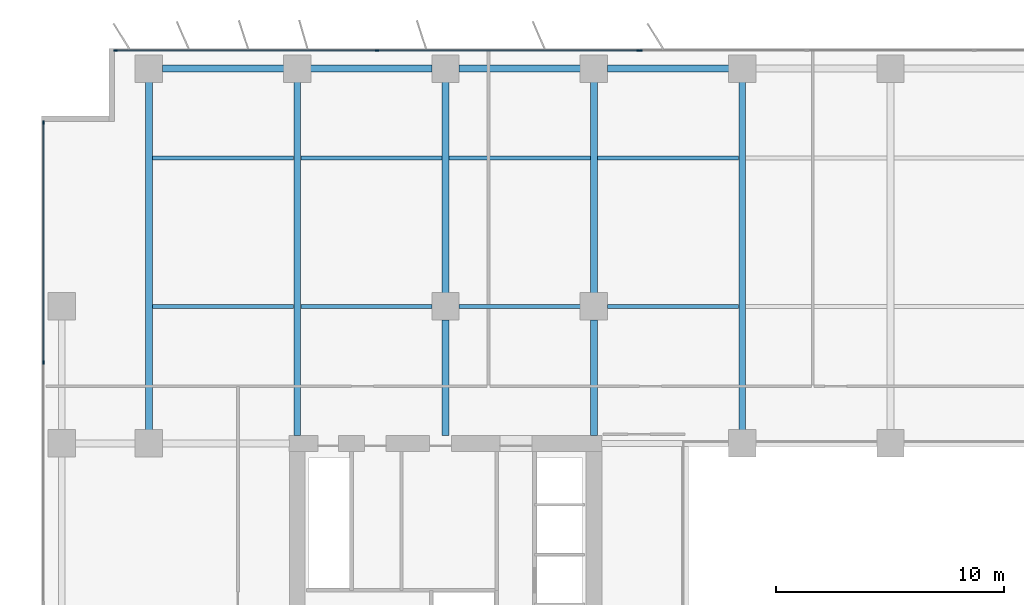
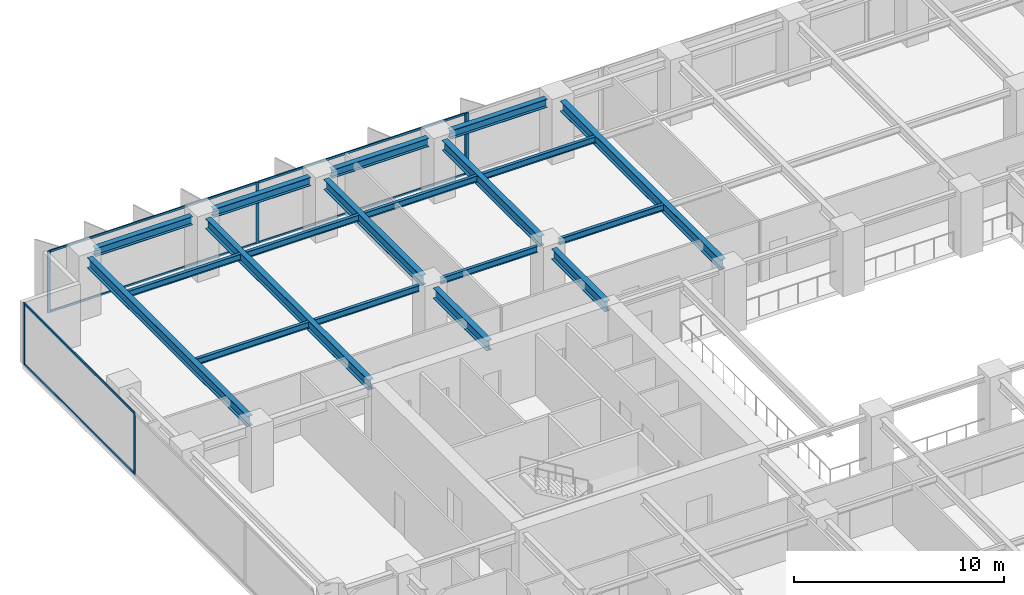
# One storey, part 7 of 20: 19 beams, 12 members, 3 elements without a shape of their own.
"""IFC4 building model written with IfcOpenShell, lengths in metres."""

from ifc_helpers import new_model, si_unit, direction, frame, origin, origin_2d, place, context, subcontext, project, spatial, rectangle, i_section, extrude, material, layer, layer_set, material_profile, profile_set, type_object, element, aggregate, save


model = new_model("IFC4")

# Units and contexts
model_context = context("Model", 3, precision=1e-05, world=origin(), true_north=direction((0.0, 1.0)))
body_context = subcontext(model_context, "Body", "Model", "MODEL_VIEW")
ifc_project = project(units=[si_unit("LENGTHUNIT", "METRE"), si_unit("AREAUNIT", "SQUARE_METRE"), si_unit("VOLUMEUNIT", "CUBIC_METRE"), si_unit("PLANEANGLEUNIT", "RADIAN"), si_unit("MASSUNIT", "GRAM", prefix="KILO")], contexts=[model_context])

# Site, building, storey
site_placement = place(None, origin())
site = spatial("IfcSite", under=ifc_project, at=site_placement, CompositionType="ELEMENT")
building_placement = place(site_placement, origin())
building = spatial("IfcBuilding", under=site, at=building_placement, Name="Putna Gate Headquarters", CompositionType="ELEMENT")
storey_placement = place(building_placement, frame((0.0, 0.0, 101.199951171875)))
storey = spatial("IfcBuildingStorey", under=building, at=storey_placement, Name="L24", CompositionType="ELEMENT", Elevation=101.199951171875)

# Beams
ifc_material_1 = material(Name="Steel S355J2", Category="steel")
ifc_material_profile_1 = material_profile(ifc_material_1, i_section(OverallWidth=0.300048828125, OverallDepth=0.60009765625, WebThickness=0.015380859375, FlangeThickness=0.030029296875, at=origin_2d()), Name="Steel S355J2")
ifc_profile_set_1 = profile_set([ifc_material_profile_1], Name="Steel S355J2")
beam_type_1 = type_object("IfcBeamType", Name="BM-GIRD-Z2-HEB600", PredefinedType="USERDEFINED", material=ifc_profile_set_1)
beam_1_placement = place(storey_placement, frame((6.5, 33.587890625, 3.26513671875), z_axis=(0.0, 1.0, 0.0), x_axis=(-1.0, 0.0, 0.0)))
element("IfcBeam", 1, at=beam_1_placement, inside=storey, type_object=beam_type_1, Name="L24 North Primary Girder X6", ObjectType="GIRDER", PredefinedType="USERDEFINED", context=body_context, shape_type="SweptSolid", body=[
    extrude(i_section(OverallWidth=0.300048828125, OverallDepth=0.60009765625, WebThickness=0.015380859375, FlangeThickness=0.030029296875, at=origin_2d()), origin(), (0.0, 0.0, 1.0), 15.244140625),
])
beam_2_placement = place(storey_placement, frame((13.0, 33.3349609375, 3.26513671875), z_axis=(0.0, 1.0, 0.0), x_axis=(-1.0, 0.0, 0.0)))
element("IfcBeam", 2, at=beam_2_placement, inside=storey, type_object=beam_type_1, Name="L24 North Primary Girder X13", ObjectType="GIRDER", PredefinedType="USERDEFINED", context=body_context, shape_type="SweptSolid", body=[
    extrude(i_section(OverallWidth=0.300048828125, OverallDepth=0.60009765625, WebThickness=0.015380859375, FlangeThickness=0.030029296875, at=origin_2d()), origin(), (0.0, 0.0, 1.0), 15.4970703125),
])
beam_3_placement = place(storey_placement, frame((19.5, 33.3349609375, 3.26513671875), z_axis=(0.0, 1.0, 0.0), x_axis=(-1.0, 0.0, 0.0)))
element("IfcBeam", 3, at=beam_3_placement, inside=storey, type_object=beam_type_1, Name="L24 North Primary Girder X19-1", ObjectType="GIRDER", PredefinedType="USERDEFINED", context=body_context, shape_type="SweptSolid", body=[
    extrude(i_section(OverallWidth=0.300048828125, OverallDepth=0.60009765625, WebThickness=0.015380859375, FlangeThickness=0.030029296875, at=origin_2d()), origin(), (0.0, 0.0, 1.0), 5.0771484375),
])
beam_4_placement = place(storey_placement, frame((19.5, 39.587890625, 3.26513671875), z_axis=(0.0, 1.0, 0.0), x_axis=(-1.0, 0.0, 0.0)))
element("IfcBeam", 4, at=beam_4_placement, inside=storey, type_object=beam_type_1, Name="L24 North Primary Girder X19-2", ObjectType="GIRDER", PredefinedType="USERDEFINED", context=body_context, shape_type="SweptSolid", body=[
    extrude(i_section(OverallWidth=0.300048828125, OverallDepth=0.60009765625, WebThickness=0.015380859375, FlangeThickness=0.030029296875, at=origin_2d()), origin(), (0.0, 0.0, 1.0), 9.244140625),
])
beam_5_placement = place(storey_placement, frame((26.0, 33.3349609375, 3.26513671875), z_axis=(0.0, 1.0, 0.0), x_axis=(-1.0, 0.0, 0.0)))
element("IfcBeam", 5, at=beam_5_placement, inside=storey, type_object=beam_type_1, Name="L24 North Primary Girder X26-1", ObjectType="GIRDER", PredefinedType="USERDEFINED", context=body_context, shape_type="SweptSolid", body=[
    extrude(i_section(OverallWidth=0.300048828125, OverallDepth=0.60009765625, WebThickness=0.015380859375, FlangeThickness=0.030029296875, at=origin_2d()), origin(), (0.0, 0.0, 1.0), 5.0771484375),
])
beam_6_placement = place(storey_placement, frame((26.0, 39.587890625, 3.26513671875), z_axis=(0.0, 1.0, 0.0), x_axis=(-1.0, 0.0, 0.0)))
element("IfcBeam", 6, at=beam_6_placement, inside=storey, type_object=beam_type_1, Name="L24 North Primary Girder X26-2", ObjectType="GIRDER", PredefinedType="USERDEFINED", context=body_context, shape_type="SweptSolid", body=[
    extrude(i_section(OverallWidth=0.300048828125, OverallDepth=0.60009765625, WebThickness=0.015380859375, FlangeThickness=0.030029296875, at=origin_2d()), origin(), (0.0, 0.0, 1.0), 9.244140625),
])
beam_7_placement = place(storey_placement, frame((32.5, 33.587890625, 3.26513671875), z_axis=(0.0, 1.0, 0.0), x_axis=(-1.0, 0.0, 0.0)))
element("IfcBeam", 7, at=beam_7_placement, inside=storey, type_object=beam_type_1, Name="L24 North Primary Girder X32", ObjectType="GIRDER", PredefinedType="USERDEFINED", context=body_context, shape_type="SweptSolid", body=[
    extrude(i_section(OverallWidth=0.300048828125, OverallDepth=0.60009765625, WebThickness=0.015380859375, FlangeThickness=0.030029296875, at=origin_2d()), origin(), (0.0, 0.0, 1.0), 15.244140625),
])
ifc_material_profile_2 = material_profile(ifc_material_1, i_section(OverallWidth=0.169921875, OverallDepth=0.360107421875, WebThickness=0.008056640625, FlangeThickness=0.0126953125, at=origin_2d()), Name="Steel S355J2")
ifc_profile_set_2 = profile_set([ifc_material_profile_2], Name="Steel S355J2")
beam_type_2 = type_object("IfcBeamType", Name="BM-SEC-Z2-IPE360", PredefinedType="BEAM", material=ifc_profile_set_2)
for number, where, z_axis, x_axis, name in (
    (8, (6.654052734375, 39.0, 3.385009765625), (1.0, 0.0, 0.0), (0.0, 1.0, 0.0), "L24 North Secondary Beam 1"),
    (9, (6.654052734375, 45.5, 3.385009765625), (1.0, 0.0, 0.0), (0.0, 1.0, 0.0), "L24 North Secondary Beam 1"),
):
    element("IfcBeam", number, at=place(storey_placement, frame(where, z_axis=z_axis, x_axis=x_axis)), inside=storey, type_object=beam_type_2, Name=name, PredefinedType="BEAM", context=body_context, shape_type="SweptSolid", body=[
        extrude(i_section(OverallWidth=0.169921875, OverallDepth=0.360107421875, WebThickness=0.008056640625, FlangeThickness=0.0126953125, at=origin_2d()), origin(), (0.0, 0.0, 1.0), 6.19189453125),
    ])
beam_8_placement = place(storey_placement, frame((13.154052734375, 39.0, 3.385009765625), z_axis=(1.0, 0.0, 0.0), x_axis=(0.0, 1.0, 0.0)))
element("IfcBeam", 10, at=beam_8_placement, inside=storey, type_object=beam_type_2, Name="L24 North Secondary Beam 2", PredefinedType="BEAM", context=body_context, shape_type="SweptSolid", body=[
    extrude(i_section(OverallWidth=0.169921875, OverallDepth=0.360107421875, WebThickness=0.008056640625, FlangeThickness=0.0126953125, at=origin_2d()), origin(), (0.0, 0.0, 1.0), 5.758056640625),
])
beam_9_placement = place(storey_placement, frame((13.154052734375, 45.5, 3.385009765625), z_axis=(1.0, 0.0, 0.0), x_axis=(0.0, 1.0, 0.0)))
element("IfcBeam", 11, at=beam_9_placement, inside=storey, type_object=beam_type_2, Name="L24 North Secondary Beam 2", PredefinedType="BEAM", context=body_context, shape_type="SweptSolid", body=[
    extrude(i_section(OverallWidth=0.169921875, OverallDepth=0.360107421875, WebThickness=0.008056640625, FlangeThickness=0.0126953125, at=origin_2d()), origin(), (0.0, 0.0, 1.0), 6.19189453125),
])
beam_10_placement = place(storey_placement, frame((20.087890625, 39.0, 3.385009765625), z_axis=(1.0, 0.0, 0.0), x_axis=(0.0, 1.0, 0.0)))
element("IfcBeam", 12, at=beam_10_placement, inside=storey, type_object=beam_type_2, Name="L24 North Secondary Beam 3", PredefinedType="BEAM", context=body_context, shape_type="SweptSolid", body=[
    extrude(i_section(OverallWidth=0.169921875, OverallDepth=0.360107421875, WebThickness=0.008056640625, FlangeThickness=0.0126953125, at=origin_2d()), origin(), (0.0, 0.0, 1.0), 5.32421875),
])
beam_11_placement = place(storey_placement, frame((19.654052734375, 45.5, 3.385009765625), z_axis=(1.0, 0.0, 0.0), x_axis=(0.0, 1.0, 0.0)))
element("IfcBeam", 13, at=beam_11_placement, inside=storey, type_object=beam_type_2, Name="L24 North Secondary Beam 3", PredefinedType="BEAM", context=body_context, shape_type="SweptSolid", body=[
    extrude(i_section(OverallWidth=0.169921875, OverallDepth=0.360107421875, WebThickness=0.008056640625, FlangeThickness=0.0126953125, at=origin_2d()), origin(), (0.0, 0.0, 1.0), 6.19189453125),
])
beam_12_placement = place(storey_placement, frame((26.587890625, 39.0, 3.385009765625), z_axis=(1.0, 0.0, 0.0), x_axis=(0.0, 1.0, 0.0)))
element("IfcBeam", 14, at=beam_12_placement, inside=storey, type_object=beam_type_2, Name="L24 North Secondary Beam 4", PredefinedType="BEAM", context=body_context, shape_type="SweptSolid", body=[
    extrude(i_section(OverallWidth=0.169921875, OverallDepth=0.360107421875, WebThickness=0.008056640625, FlangeThickness=0.0126953125, at=origin_2d()), origin(), (0.0, 0.0, 1.0), 5.758056640625),
])
beam_13_placement = place(storey_placement, frame((26.154052734375, 45.5, 3.385009765625), z_axis=(1.0, 0.0, 0.0), x_axis=(0.0, 1.0, 0.0)))
element("IfcBeam", 15, at=beam_13_placement, inside=storey, type_object=beam_type_2, Name="L24 North Secondary Beam 4", PredefinedType="BEAM", context=body_context, shape_type="SweptSolid", body=[
    extrude(i_section(OverallWidth=0.169921875, OverallDepth=0.360107421875, WebThickness=0.008056640625, FlangeThickness=0.0126953125, at=origin_2d()), origin(), (0.0, 0.0, 1.0), 6.19189453125),
])
ifc_material_profile_3 = material_profile(ifc_material_1, i_section(OverallWidth=0.300048828125, OverallDepth=0.489990234375, WebThickness=0.011962890625, FlangeThickness=0.02294921875, at=origin_2d()), Name="Steel S355J2")
ifc_profile_set_3 = profile_set([ifc_material_profile_3], Name="Steel S355J2")
beam_type_3 = type_object("IfcBeamType", Name="BM-SPAN-Z2-HEA500", PredefinedType="SPANDREL", material=ifc_profile_set_3)
for number, where, z_axis, x_axis, name in (
    (16, (7.087890625, 49.419921875, 3.320068359375), (1.0, 0.0, 0.0), (0.0, 1.0, 0.0), "L24 N Perimeter Spandrel 1"),
    (17, (13.587890625, 49.419921875, 3.320068359375), (1.0, 0.0, 0.0), (0.0, 1.0, 0.0), "L24 N Perimeter Spandrel 2"),
    (18, (20.087890625, 49.419921875, 3.320068359375), (1.0, 0.0, 0.0), (0.0, 1.0, 0.0), "L24 N Perimeter Spandrel 3"),
    (19, (26.587890625, 49.419921875, 3.320068359375), (1.0, 0.0, 0.0), (0.0, 1.0, 0.0), "L24 N Perimeter Spandrel 4"),
):
    element("IfcBeam", number, at=place(storey_placement, frame(where, z_axis=z_axis, x_axis=x_axis)), inside=storey, type_object=beam_type_3, Name=name, PredefinedType="SPANDREL", context=body_context, shape_type="SweptSolid", body=[
        extrude(i_section(OverallWidth=0.300048828125, OverallDepth=0.489990234375, WebThickness=0.011962890625, FlangeThickness=0.02294921875, at=origin_2d()), origin(), (0.0, 0.0, 1.0), 5.32421875),
    ])

# Curtain wall, members
ifc_material_2 = material(Name="Anodised bronze aluminium curtain wall", Category="aluminium")
ifc_layer_1 = layer(ifc_material_2, 0.159912109375)
ifc_layer_set_1 = layer_set([ifc_layer_1], Name="Anodised bronze aluminium curtain wall")
curtain_wall_type_1 = type_object("IfcCurtainWallType", Name="CW-SYS-Z2", PredefinedType="USERDEFINED", material=ifc_layer_set_1)
curtain_wall_1_placement = place(storey_placement, origin())
curtain_wall_1 = element("IfcCurtainWall", 20, at=curtain_wall_1_placement, inside=storey, type_object=curtain_wall_type_1, Name="L24 North West Curtain Wall", ObjectType="STICK CURTAIN WALL", PredefinedType="USERDEFINED")
ifc_material_3 = material(Name="Anodised bronze aluminium EN AW-6060", Category="aluminium")
ifc_material_profile_4 = material_profile(ifc_material_3, rectangle(XDim=0.06494140625, YDim=0.159912109375, at=origin_2d()), Name="Anodised bronze aluminium EN AW-6060")
ifc_profile_set_4 = profile_set([ifc_material_profile_4], Name="Anodised bronze aluminium EN AW-6060")
member_type_1 = type_object("IfcMemberType", Name="MULL-CWM-2", PredefinedType="MULLION", material=ifc_profile_set_4)
member_1_placement = place(storey_placement, frame((5.032470703125, 50.219970703125, 0.0), z_axis=(0.0, 0.0, 1.0), x_axis=(0.0, 1.0, 0.0)))
member_1 = element("IfcMember", 21, at=member_1_placement, type_object=member_type_1, Name="CWS-2 mullion 1", PredefinedType="MULLION", context=body_context, shape_type="SweptSolid", body=[
    extrude(rectangle(XDim=0.06494140625, YDim=0.159912109375, at=origin_2d()), origin(), (0.0, 0.0, 1.0), 3.56494140625),
])
member_2_placement = place(storey_placement, frame((16.5, 50.219970703125, 0.0), z_axis=(0.0, 0.0, 1.0), x_axis=(0.0, 1.0, 0.0)))
member_2 = element("IfcMember", 22, at=member_2_placement, type_object=member_type_1, Name="CWS-2 mullion 2", PredefinedType="MULLION", context=body_context, shape_type="SweptSolid", body=[
    extrude(rectangle(XDim=0.06494140625, YDim=0.159912109375, at=origin_2d()), origin(), (0.0, 0.0, 1.0), 3.56494140625),
])
member_3_placement = place(storey_placement, frame((27.967529296875, 50.219970703125, 0.0), z_axis=(0.0, 0.0, 1.0), x_axis=(0.0, 1.0, 0.0)))
member_3 = element("IfcMember", 23, at=member_3_placement, type_object=member_type_1, Name="CWS-2 mullion 3", PredefinedType="MULLION", context=body_context, shape_type="SweptSolid", body=[
    extrude(rectangle(XDim=0.06494140625, YDim=0.159912109375, at=origin_2d()), origin(), (0.0, 0.0, 1.0), 3.56494140625),
])

curtain_wall_2_placement = place(storey_placement, origin())
curtain_wall_2 = element("IfcCurtainWall", 24, at=curtain_wall_2_placement, inside=storey, type_object=curtain_wall_type_1, Name="L24 West Curtain Wall", ObjectType="STICK CURTAIN WALL", PredefinedType="USERDEFINED")
member_4_placement = place(storey_placement, frame((1.8798828125, 36.550048828125, 0.0), z_axis=(0.0, 0.0, 1.0), x_axis=(-1.0, 0.0, 0.0)))
member_4 = element("IfcMember", 25, at=member_4_placement, type_object=member_type_1, Name="CWS-2 mullion 4", PredefinedType="MULLION", context=body_context, shape_type="SweptSolid", body=[
    extrude(rectangle(XDim=0.06494140625, YDim=0.159912109375, at=origin_2d()), origin(), (0.0, 0.0, 1.0), 3.56494140625),
])
member_5_placement = place(storey_placement, frame((1.8798828125, 47.0673828125, 0.0), z_axis=(0.0, 0.0, 1.0), x_axis=(-1.0, 0.0, 0.0)))
member_5 = element("IfcMember", 26, at=member_5_placement, type_object=member_type_1, Name="CWS-2 mullion 5", PredefinedType="MULLION", context=body_context, shape_type="SweptSolid", body=[
    extrude(rectangle(XDim=0.06494140625, YDim=0.159912109375, at=origin_2d()), origin(), (0.0, 0.0, 1.0), 3.56494140625),
])

# Curtain wall, member
ifc_layer_2 = layer(ifc_material_2, 0.179931640625)
ifc_layer_set_2 = layer_set([ifc_layer_2], Name="Anodised bronze aluminium curtain wall")
curtain_wall_type_2 = type_object("IfcCurtainWallType", Name="CW-SYS-ATR", PredefinedType="USERDEFINED", material=ifc_layer_set_2)
curtain_wall_3_placement = place(storey_placement, origin())
curtain_wall_3 = element("IfcCurtainWall", 27, at=curtain_wall_3_placement, inside=storey, type_object=curtain_wall_type_2, Name="L24 North Atrium Clear Glazing", ObjectType="ATRIUM GLAZING", PredefinedType="USERDEFINED")
ifc_material_profile_5 = material_profile(ifc_material_3, rectangle(XDim=0.070068359375, YDim=0.179931640625, at=origin_2d()), Name="Anodised bronze aluminium EN AW-6060")
ifc_profile_set_5 = profile_set([ifc_material_profile_5], Name="Anodised bronze aluminium EN AW-6060")
member_type_2 = type_object("IfcMemberType", Name="MULL-CWM-AT", PredefinedType="MULLION", material=ifc_profile_set_5)
member_6_placement = place(storey_placement, frame((28.034912109375, 50.219970703125, 0.0), z_axis=(0.0, 0.0, 1.0), x_axis=(0.0, 1.0, 0.0)))
member_6 = element("IfcMember", 28, at=member_6_placement, type_object=member_type_2, Name="CWS-AT mullion 1", PredefinedType="MULLION", context=body_context, shape_type="SweptSolid", body=[
    extrude(rectangle(XDim=0.070068359375, YDim=0.179931640625, at=origin_2d()), origin(), (0.0, 0.0, 1.0), 3.56494140625),
])
aggregate(curtain_wall_3, [member_6])

# Member
ifc_material_profile_6 = material_profile(ifc_material_3, rectangle(XDim=0.06494140625, YDim=0.1201171875, at=origin_2d()), Name="Anodised bronze aluminium EN AW-6060")
ifc_profile_set_6 = profile_set([ifc_material_profile_6], Name="Anodised bronze aluminium EN AW-6060")
member_type_3 = type_object("IfcMemberType", Name="TRAN-CWT-2", PredefinedType="USERDEFINED", material=ifc_profile_set_6)
member_7_placement = place(storey_placement, frame((5.06494140625, 50.219970703125, 0.032470703125), z_axis=(1.0, 0.0, 0.0), x_axis=(0.0, 1.0, 0.0)))
member_7 = element("IfcMember", 29, at=member_7_placement, type_object=member_type_3, Name="CWS-2 transom 1.1", ObjectType="TRANSOM", PredefinedType="USERDEFINED", context=body_context, shape_type="SweptSolid", body=[
    extrude(rectangle(XDim=0.06494140625, YDim=0.1201171875, at=origin_2d()), origin(), (0.0, 0.0, 1.0), 11.402587890625),
])

member_8_placement = place(storey_placement, frame((5.06494140625, 50.219970703125, 3.532470703125), z_axis=(1.0, 0.0, 0.0), x_axis=(0.0, 1.0, 0.0)))
member_8 = element("IfcMember", 30, at=member_8_placement, type_object=member_type_3, Name="CWS-2 transom 1.2", ObjectType="TRANSOM", PredefinedType="USERDEFINED", context=body_context, shape_type="SweptSolid", body=[
    extrude(rectangle(XDim=0.06494140625, YDim=0.1201171875, at=origin_2d()), origin(), (0.0, 0.0, 1.0), 11.402587890625),
])

member_9_placement = place(storey_placement, frame((16.532470703125, 50.219970703125, 0.032470703125), z_axis=(1.0, 0.0, 0.0), x_axis=(0.0, 1.0, 0.0)))
member_9 = element("IfcMember", 31, at=member_9_placement, type_object=member_type_3, Name="CWS-2 transom 2.1", ObjectType="TRANSOM", PredefinedType="USERDEFINED", context=body_context, shape_type="SweptSolid", body=[
    extrude(rectangle(XDim=0.06494140625, YDim=0.1201171875, at=origin_2d()), origin(), (0.0, 0.0, 1.0), 11.402587890625),
])

member_10_placement = place(storey_placement, frame((16.532470703125, 50.219970703125, 3.532470703125), z_axis=(1.0, 0.0, 0.0), x_axis=(0.0, 1.0, 0.0)))
member_10 = element("IfcMember", 32, at=member_10_placement, type_object=member_type_3, Name="CWS-2 transom 2.2", ObjectType="TRANSOM", PredefinedType="USERDEFINED", context=body_context, shape_type="SweptSolid", body=[
    extrude(rectangle(XDim=0.06494140625, YDim=0.1201171875, at=origin_2d()), origin(), (0.0, 0.0, 1.0), 11.402587890625),
])

aggregate(curtain_wall_1, [member_1, member_2, member_3, member_7, member_8, member_9, member_10])

member_11_placement = place(storey_placement, frame((1.8798828125, 36.58251953125, 0.032470703125), z_axis=(0.0, 1.0, 0.0), x_axis=(-1.0, 0.0, 0.0)))
member_11 = element("IfcMember", 33, at=member_11_placement, type_object=member_type_3, Name="CWS-2 transom 4.1", ObjectType="TRANSOM", PredefinedType="USERDEFINED", context=body_context, shape_type="SweptSolid", body=[
    extrude(rectangle(XDim=0.06494140625, YDim=0.1201171875, at=origin_2d()), origin(), (0.0, 0.0, 1.0), 10.452392578125),
])

member_12_placement = place(storey_placement, frame((1.8798828125, 36.58251953125, 3.532470703125), z_axis=(0.0, 1.0, 0.0), x_axis=(-1.0, 0.0, 0.0)))
member_12 = element("IfcMember", 34, at=member_12_placement, type_object=member_type_3, Name="CWS-2 transom 4.2", ObjectType="TRANSOM", PredefinedType="USERDEFINED", context=body_context, shape_type="SweptSolid", body=[
    extrude(rectangle(XDim=0.06494140625, YDim=0.1201171875, at=origin_2d()), origin(), (0.0, 0.0, 1.0), 10.452392578125),
])

aggregate(curtain_wall_2, [member_4, member_5, member_11, member_12])

save(model, "model.ifc")
